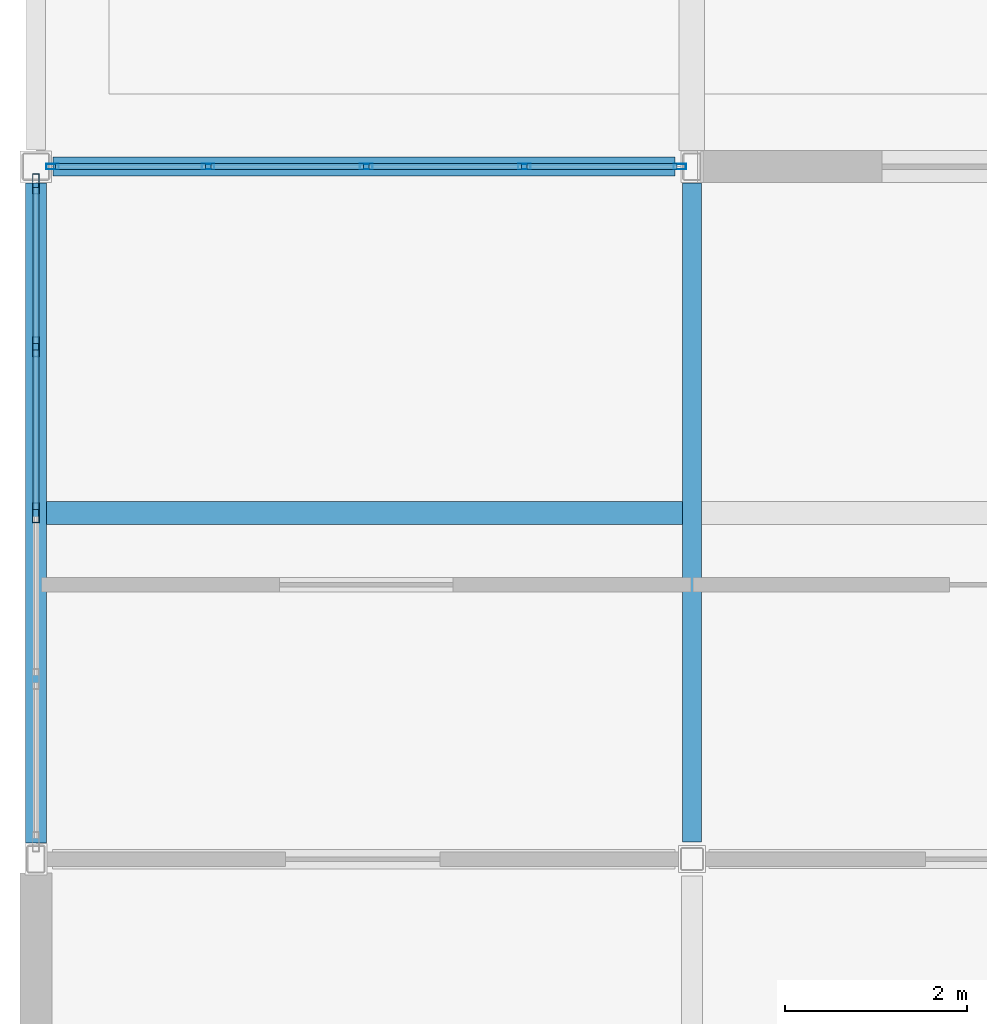
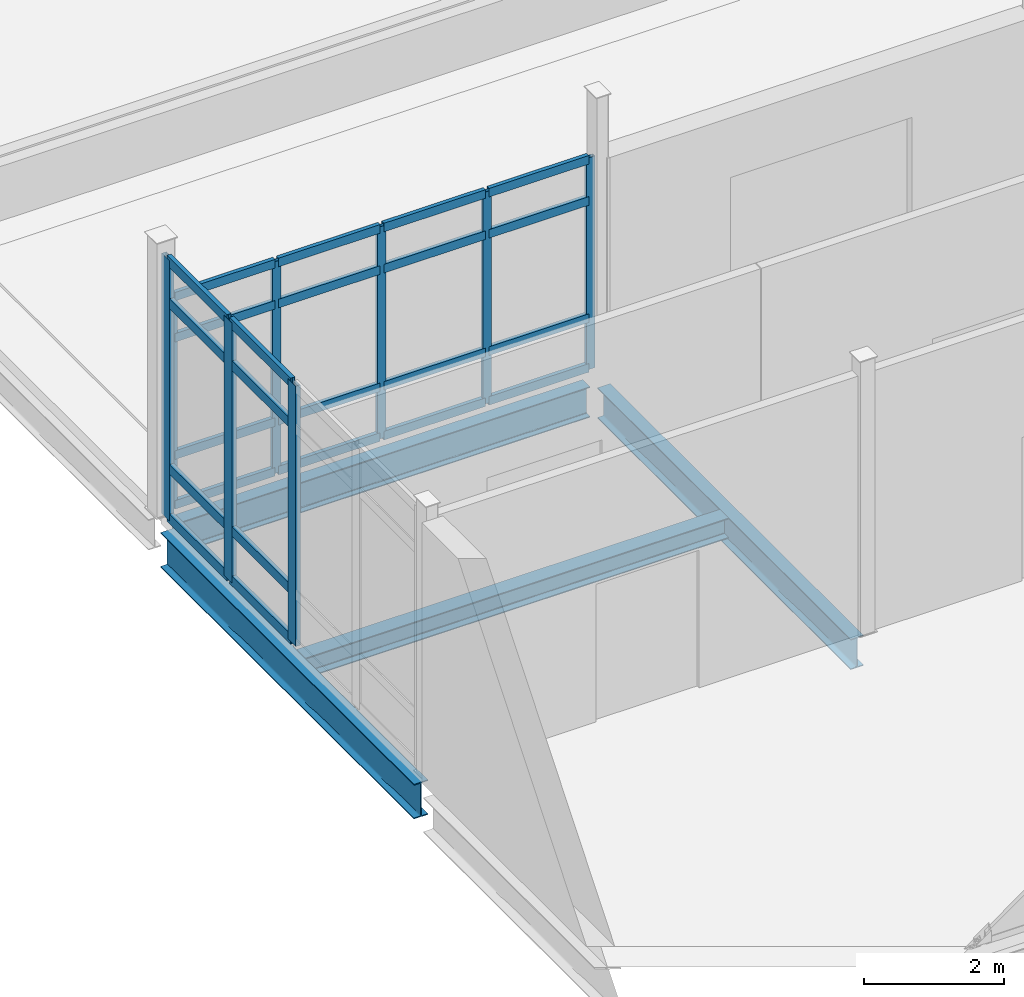
# One storey, part 34 of 186: 32 members, 4 beams, 2 elements without a shape of their own.
"""IFC4 building model written with IfcOpenShell, lengths in metres."""

import ifcopenshell
import ifcopenshell.guid

model = None  # the IFC model being written
_history = None  # IfcOwnerHistory: only IFC2X3 demands one
_inside = {}  # id of a spatial element -> (the spatial element, [elements in it])
_under = {}  # id of a project, library or spatial element -> (it, [spatial elements below it])
_declared = {}  # id of a project -> (the project, [libraries it declares])
_typed = {}  # id of a type object -> (the type object, [elements of that type])
_made_of = {}  # id of a material, layer set ... -> (it, [elements and type objects made of it])


def new_model(schema):
    """Start an empty IFC model of exactly this schema.

    Asked for "IFC4X3", IfcOpenShell would pick the latest addendum, in which some entities
    have other attributes; the version numbers below select the first issue.
    IFC2X3 requires an IfcOwnerHistory on every rooted entity: one is made here for all.
    """
    global model, _history
    if schema == "IFC4X3":
        model = ifcopenshell.file(schema_version=(4, 3, 0, 0))
    else:
        model = ifcopenshell.file(schema=schema)
    _inside.clear()
    _under.clear()
    _declared.clear()
    _typed.clear()
    _made_of.clear()
    _history = None
    if model.schema == "IFC2X3":
        org = make("IfcOrganization", Name="unknown")
        user = make(
            "IfcPersonAndOrganization",
            ThePerson=make("IfcPerson", FamilyName="unknown"),
            TheOrganization=org,
        )
        app = make(
            "IfcApplication",
            ApplicationDeveloper=org,
            Version="unknown",
            ApplicationFullName="unknown",
            ApplicationIdentifier="unknown",
        )
        _history = make(
            "IfcOwnerHistory",
            OwningUser=user,
            OwningApplication=app,
            ChangeAction="ADDED",
            CreationDate=0,
        )
    return model


def make(cls, **values):
    """One entity of the class cls with the attributes given. An attribute that is None is left unset."""
    return model.create_entity(
        cls, **{name: value for name, value in values.items() if value is not None}
    )


def rooted(cls, **values):
    """An entity with a GlobalId (a new one), such as an element, a storey or a relation."""
    return make(cls, GlobalId=ifcopenshell.guid.new(), OwnerHistory=_history, **values)


def si_unit(unit_type, name, prefix=None):
    """IfcSIUnit, for example si_unit("LENGTHUNIT", "METRE", prefix="MILLI")."""
    return make("IfcSIUnit", UnitType=unit_type, Prefix=prefix, Name=name)


def assignment(units):
    """IfcUnitAssignment: the units of a project."""
    return None if units is None else make("IfcUnitAssignment", Units=units)


def point(xyz):
    """IfcCartesianPoint."""
    return None if xyz is None else make("IfcCartesianPoint", Coordinates=xyz)


def direction(xyz):
    """IfcDirection."""
    return None if xyz is None else make("IfcDirection", DirectionRatios=xyz)


def frame(location, z_axis=None, x_axis=None):
    """IfcAxis2Placement3D, a coordinate frame: its origin and axes. An axis left out is left unset."""
    return make(
        "IfcAxis2Placement3D",
        Location=point(location),
        Axis=direction(z_axis),
        RefDirection=direction(x_axis),
    )


def frame_2d(location, x_axis=None):
    """IfcAxis2Placement2D, a coordinate frame in the plane: its origin and x axis."""
    return make(
        "IfcAxis2Placement2D", Location=point(location), RefDirection=direction(x_axis)
    )


def origin():
    """The frame at (0, 0, 0) with its axes left unset."""
    return frame((0.0, 0.0, 0.0))


def origin_2d():
    """The frame at (0, 0) in the plane with its x axis left unset."""
    return frame_2d((0.0, 0.0))


def place(relative_to, where):
    """IfcLocalPlacement: puts the frame where relative to a parent placement (None: the world)."""
    return make(
        "IfcLocalPlacement", PlacementRelTo=relative_to, RelativePlacement=where
    )


def context(
    kind, dimensions, precision=None, world=None, true_north=None, identifier=None
):
    """IfcGeometricRepresentationContext, for example the 3D "Model" context."""
    return make(
        "IfcGeometricRepresentationContext",
        ContextIdentifier=identifier,
        ContextType=kind,
        CoordinateSpaceDimension=dimensions,
        Precision=precision,
        WorldCoordinateSystem=world,
        TrueNorth=true_north,
    )


def subcontext(parent, identifier, kind, view, scale=None):
    """IfcGeometricRepresentationSubContext, for example "Body" below "Model"."""
    return make(
        "IfcGeometricRepresentationSubContext",
        ContextIdentifier=identifier,
        ContextType=kind,
        ParentContext=parent,
        TargetScale=scale,
        TargetView=view,
    )


def project(units=None, contexts=None):
    """IfcProject with its units and contexts."""
    return rooted(
        "IfcProject",
        Name="project",
        RepresentationContexts=contexts,
        UnitsInContext=assignment(units),
    )


def spatial(cls, under=None, at=None, **own):
    """A site, building, storey or space (cls), placed at a placement, below another one or the project."""
    s = rooted(cls, ObjectPlacement=at, **own)
    if under is not None:
        _under.setdefault(under.id(), (under, []))[1].append(s)
    return s


def profile(cls, at=None, kind="AREA", **sizes):
    """A parametric profile (cls). Its sizes go by their IFC names, for example OverallWidth=200.0."""
    return make(cls, ProfileType=kind, Position=at, **sizes)


def hollow_rectangle(**sizes):
    """IfcRectangleHollowProfileDef."""
    return profile("IfcRectangleHollowProfileDef", **sizes)


def i_section(**sizes):
    """IfcIShapeProfileDef."""
    return profile("IfcIShapeProfileDef", **sizes)


def extrude(swept, where, along, depth):
    """IfcExtrudedAreaSolid: the profile swept, set in the frame where, extruded along a direction by depth."""
    return make(
        "IfcExtrudedAreaSolid",
        SweptArea=swept,
        Position=where,
        ExtrudedDirection=direction(along),
        Depth=depth,
    )


def shape(context_of_items, identifier, shape_type, items):
    """IfcShapeRepresentation: the items that make up one representation, for example the "Body"."""
    return make(
        "IfcShapeRepresentation",
        ContextOfItems=context_of_items,
        RepresentationIdentifier=identifier,
        RepresentationType=shape_type,
        Items=items,
    )


def material(Name=None, Category=None):
    """IfcMaterial."""
    return make("IfcMaterial", Name=Name, Category=Category)


def layer(
    of_material, thickness, ventilated=None, Name=None, Category=None, Priority=None
):
    """IfcMaterialLayer: one layer of a wall or slab, of a material (None: an air gap)."""
    return make(
        "IfcMaterialLayer",
        Material=of_material,
        LayerThickness=thickness,
        IsVentilated=ventilated,
        Name=Name,
        Category=Category,
        Priority=Priority,
    )


def layer_set(layers, Name=None):
    """IfcMaterialLayerSet."""
    return make("IfcMaterialLayerSet", MaterialLayers=layers, LayerSetName=Name)


def material_profile(
    of_material, cross_section, Name=None, Category=None, Priority=None
):
    """IfcMaterialProfile: a cross section and its material."""
    return make(
        "IfcMaterialProfile",
        Name=Name,
        Material=of_material,
        Profile=cross_section,
        Priority=Priority,
        Category=Category,
    )


def profile_set(profiles, Name=None, composite=None):
    """IfcMaterialProfileSet."""
    return make(
        "IfcMaterialProfileSet",
        Name=Name,
        MaterialProfiles=profiles,
        CompositeProfile=composite,
    )


def made_of(thing, what):
    """Note that an element or type object is made of a material, layer set ...; save() writes the relation."""
    if what is not None:
        _made_of.setdefault(what.id(), (what, []))[1].append(thing)
    return thing


def type_object(cls, material=None, **own):
    """A type object (cls), such as IfcWallType, which elements share."""
    return made_of(rooted(cls, **own), material)


def element(
    cls,
    number,
    at=None,
    inside=None,
    cuts=None,
    type_object=None,
    material=None,
    context=None,
    identifier="Body",
    shape_type=None,
    held_by="IfcProductDefinitionShape",
    body=None,
    shapes=None,
    **own,
):
    """One element of the class cls, such as IfcWall. Its Tag is "e" and its number.

    at: its placement. inside: the storey or other place that contains it. cuts: it is an
    opening in that element (IfcRelVoidsElement). A single representation is given by context,
    identifier, shape_type and body (its items); several are given by shapes. held_by: the class
    of the entity that holds the representations. save() writes the other relations.
    """
    e = rooted(cls, Tag="e%d" % number, ObjectPlacement=at, **own)
    if body is not None:
        shapes = [shape(context, identifier, shape_type, body)]
    if shapes is not None:
        e.Representation = make(held_by, Representations=shapes)
    if inside is not None:
        _inside.setdefault(inside.id(), (inside, []))[1].append(e)
    if cuts is not None:
        rooted(
            "IfcRelVoidsElement", RelatingBuildingElement=cuts, RelatedOpeningElement=e
        )
    if type_object is not None:
        _typed.setdefault(type_object.id(), (type_object, []))[1].append(e)
    return made_of(e, material)


def aggregate(whole, parts):
    """IfcRelAggregates: a whole, such as a stair, and the parts it consists of."""
    return rooted("IfcRelAggregates", RelatingObject=whole, RelatedObjects=parts)


def save(model, path):
    """Write the relations noted so far, then the file.

    IfcRelAggregates (storeys below a building ...), IfcRelContainedInSpatialStructure (elements
    in a storey), IfcRelDefinesByType, IfcRelAssociatesMaterial and IfcRelDeclares: one each for
    every whole, place, type object, material and project.
    """
    for whole, parts in _under.values():
        aggregate(whole, parts)
    for where, things in _inside.values():
        rooted(
            "IfcRelContainedInSpatialStructure",
            RelatedElements=things,
            RelatingStructure=where,
        )
    for kind, things in _typed.values():
        rooted("IfcRelDefinesByType", RelatedObjects=things, RelatingType=kind)
    for what, things in _made_of.values():
        rooted("IfcRelAssociatesMaterial", RelatedObjects=things, RelatingMaterial=what)
    for by, libraries in _declared.values():
        rooted("IfcRelDeclares", RelatingContext=by, RelatedDefinitions=libraries)
    model.write(path)


model = new_model("IFC4")

# Units and contexts
model_context = context("Model", 3, precision=1e-05, world=origin(), true_north=direction((0.0, 1.0)))
body_context = subcontext(model_context, "Body", "Model", "MODEL_VIEW")
ifc_project = project(units=[si_unit("LENGTHUNIT", "METRE"), si_unit("AREAUNIT", "SQUARE_METRE"), si_unit("VOLUMEUNIT", "CUBIC_METRE"), si_unit("PLANEANGLEUNIT", "RADIAN"), si_unit("MASSUNIT", "GRAM", prefix="KILO")], contexts=[model_context])

# Site, building, storey
site_placement = place(None, origin())
site = spatial("IfcSite", under=ifc_project, at=site_placement, CompositionType="ELEMENT")
building_placement = place(site_placement, origin())
building = spatial("IfcBuilding", under=site, at=building_placement, Name="Calvrana Isthmian Art Gallery", CompositionType="ELEMENT")
storey_placement = place(building_placement, frame((0.0, 0.0, 5.39990234375)))
storey = spatial("IfcBuildingStorey", under=building, at=storey_placement, Name="L01", CompositionType="ELEMENT", Elevation=5.39990234375)

# Beams
ifc_material_1 = material(Name="Steel ASTM A992 Gr 50", Category="steel")
ifc_material_profile_1 = material_profile(ifc_material_1, i_section(OverallWidth=0.208984375, OverallDepth=0.532958984375, WebThickness=0.01025390625, FlangeThickness=0.015625, FilletRadius=0.02099609375, at=origin_2d()), Name="W21X62")
ifc_profile_set_1 = profile_set([ifc_material_profile_1], Name="Steel ASTM A992 Gr 50")
beam_type_1 = type_object("IfcBeamType", Name="BM-G-W21X62", PredefinedType="BEAM", material=ifc_profile_set_1)
beam_1_placement = place(storey_placement, frame((0.185546875, 62.0, -0.511474609375), z_axis=(1.0, 0.0, 0.0), x_axis=(0.0, 1.0, 0.0)))
element("IfcBeam", 1, at=beam_1_placement, inside=storey, type_object=beam_type_1, Name="Girder X L01 01-02/I", PredefinedType="BEAM", context=body_context, shape_type="SweptSolid", body=[
    extrude(i_section(OverallWidth=0.208984375, OverallDepth=0.532958984375, WebThickness=0.01025390625, FlangeThickness=0.015625, FilletRadius=0.02099609375, at=origin_2d()), origin(), (0.0, 0.0, 1.0), 6.83056640625),
])
beam_2_placement = place(storey_placement, frame((7.199951171875, 54.58642578125, -0.511474609375), z_axis=(0.0, 1.0, 0.0), x_axis=(-1.0, 0.0, 0.0)))
element("IfcBeam", 2, at=beam_2_placement, inside=storey, type_object=beam_type_1, Name="Girder Y L01 02/H-I", PredefinedType="BEAM", context=body_context, shape_type="SweptSolid", body=[
    extrude(i_section(OverallWidth=0.208984375, OverallDepth=0.532958984375, WebThickness=0.01025390625, FlangeThickness=0.015625, FilletRadius=0.02099609375, at=origin_2d()), origin(), (0.0, 0.0, 1.0), 7.235595703125),
])
ifc_material_profile_2 = material_profile(ifc_material_1, i_section(OverallWidth=0.22802734375, OverallDepth=0.60693359375, WebThickness=0.01123046875, FlangeThickness=0.017333984375, FilletRadius=0.02197265625, at=origin_2d()), Name="W24X76")
ifc_profile_set_2 = profile_set([ifc_material_profile_2], Name="Steel ASTM A992 Gr 50")
beam_type_2 = type_object("IfcBeamType", Name="BM-G-W24X76", PredefinedType="BEAM", material=ifc_profile_set_2)
beam_3_placement = place(storey_placement, frame((0.0, 54.577880859375, -0.54833984375), z_axis=(0.0, 1.0, 0.0), x_axis=(-1.0, 0.0, 0.0)))
element("IfcBeam", 3, at=beam_3_placement, inside=storey, type_object=beam_type_2, Name="Girder Y L01 01/H-I", PredefinedType="BEAM", context=body_context, shape_type="SweptSolid", body=[
    extrude(i_section(OverallWidth=0.22802734375, OverallDepth=0.60693359375, WebThickness=0.01123046875, FlangeThickness=0.017333984375, FilletRadius=0.02197265625, at=origin_2d()), origin(), (0.0, 0.0, 1.0), 7.24072265625),
])
ifc_material_profile_3 = material_profile(ifc_material_1, i_section(OverallWidth=0.25390625, OverallDepth=0.35302734375, WebThickness=0.009521484375, FlangeThickness=0.016357421875, FilletRadius=0.01806640625, at=origin_2d()), Name="W14X61")
ifc_profile_set_3 = profile_set([ifc_material_profile_3], Name="Steel ASTM A992 Gr 50")
beam_type_3 = type_object("IfcBeamType", Name="BM-J-W14X61", PredefinedType="JOIST", material=ifc_profile_set_3)
beam_4_placement = place(storey_placement, frame((0.114013671875, 58.199951171875, -0.42138671875), z_axis=(1.0, 0.0, 0.0), x_axis=(0.0, 1.0, 0.0)))
element("IfcBeam", 4, at=beam_4_placement, inside=storey, type_object=beam_type_3, Name="Composite joist L01 bay 00-07", PredefinedType="JOIST", context=body_context, shape_type="SweptSolid", body=[
    extrude(i_section(OverallWidth=0.25390625, OverallDepth=0.35302734375, WebThickness=0.009521484375, FlangeThickness=0.016357421875, FilletRadius=0.01806640625, at=origin_2d()), origin(), (0.0, 0.0, 1.0), 6.9814453125),
])

# Curtain wall, members
ifc_material_2 = material(Name="Anodized bronze aluminium 6063-T6", Category="aluminium")
ifc_layer_1 = layer(ifc_material_2, 0.179931640625, Name="Anodized bronze aluminium 6063-T6")
ifc_layer_set_1 = layer_set([ifc_layer_1], Name="Anodized bronze aluminium 6063-T6")
curtain_wall_type_1 = type_object("IfcCurtainWallType", Name="CW-UNIT-069X37", PredefinedType="USERDEFINED", material=ifc_layer_set_1)
curtain_wall_1_placement = place(storey_placement, origin())
curtain_wall_1 = element("IfcCurtainWall", 5, at=curtain_wall_1_placement, inside=storey, type_object=curtain_wall_type_1, Name="Curtain wall CW-102", ObjectType="UNITISED CURTAIN WALL", PredefinedType="USERDEFINED")
ifc_material_profile_4 = material_profile(ifc_material_2, hollow_rectangle(XDim=0.06005859375, YDim=0.139892578125, WallThickness=0.00390625, at=origin_2d()), Name="CWM60X140")
ifc_profile_set_4 = profile_set([ifc_material_profile_4], Name="Anodized bronze aluminium 6063-T6")
member_type_1 = type_object("IfcMemberType", Name="CWM-CWM60X140", PredefinedType="MULLION", material=ifc_profile_set_4)
member_1_placement = place(storey_placement, frame((0.182373046875, 62.0, 0.0), z_axis=(0.0, 0.0, 1.0), x_axis=(0.0, 1.0, 0.0)))
member_1 = element("IfcMember", 6, at=member_1_placement, type_object=member_type_1, Name="CW-102 mullion 1", PredefinedType="MULLION", context=body_context, shape_type="SweptSolid", body=[
    extrude(hollow_rectangle(XDim=0.06005859375, YDim=0.139892578125, WallThickness=0.00390625, at=origin_2d()), origin(), (0.0, 0.0, 1.0), 3.695068359375),
])
member_2_placement = place(storey_placement, frame((1.888916015625, 62.0, 0.0), z_axis=(0.0, 0.0, 1.0), x_axis=(0.0, 1.0, 0.0)))
member_2 = element("IfcMember", 7, at=member_2_placement, type_object=member_type_1, Name="CW-102 mullion 2", PredefinedType="MULLION", context=body_context, shape_type="SweptSolid", body=[
    extrude(hollow_rectangle(XDim=0.06005859375, YDim=0.139892578125, WallThickness=0.00390625, at=origin_2d()), origin(), (0.0, 0.0, 1.0), 3.695068359375),
])
member_3_placement = place(storey_placement, frame((3.62548828125, 62.0, 0.0), z_axis=(0.0, 0.0, 1.0), x_axis=(0.0, 1.0, 0.0)))
member_3 = element("IfcMember", 8, at=member_3_placement, type_object=member_type_1, Name="CW-102 mullion 3", PredefinedType="MULLION", context=body_context, shape_type="SweptSolid", body=[
    extrude(hollow_rectangle(XDim=0.06005859375, YDim=0.139892578125, WallThickness=0.00390625, at=origin_2d()), origin(), (0.0, 0.0, 1.0), 3.695068359375),
])
member_4_placement = place(storey_placement, frame((5.36181640625, 62.0, 0.0), z_axis=(0.0, 0.0, 1.0), x_axis=(0.0, 1.0, 0.0)))
member_4 = element("IfcMember", 9, at=member_4_placement, type_object=member_type_1, Name="CW-102 mullion 4", PredefinedType="MULLION", context=body_context, shape_type="SweptSolid", body=[
    extrude(hollow_rectangle(XDim=0.06005859375, YDim=0.139892578125, WallThickness=0.00390625, at=origin_2d()), origin(), (0.0, 0.0, 1.0), 3.695068359375),
])
member_5_placement = place(storey_placement, frame((7.068359375, 62.0, 0.0), z_axis=(0.0, 0.0, 1.0), x_axis=(0.0, 1.0, 0.0)))
member_5 = element("IfcMember", 10, at=member_5_placement, type_object=member_type_1, Name="CW-102 mullion 5", PredefinedType="MULLION", context=body_context, shape_type="SweptSolid", body=[
    extrude(hollow_rectangle(XDim=0.06005859375, YDim=0.139892578125, WallThickness=0.00390625, at=origin_2d()), origin(), (0.0, 0.0, 1.0), 3.695068359375),
])

ifc_layer_2 = layer(ifc_material_2, 0.179931640625, Name="Anodized bronze aluminium 6063-T6")
ifc_layer_set_2 = layer_set([ifc_layer_2], Name="Anodized bronze aluminium 6063-T6")
curtain_wall_type_2 = type_object("IfcCurtainWallType", Name="CW-UNIT-073X45", PredefinedType="USERDEFINED", material=ifc_layer_set_2)
curtain_wall_2_placement = place(storey_placement, origin())
curtain_wall_2 = element("IfcCurtainWall", 11, at=curtain_wall_2_placement, inside=storey, type_object=curtain_wall_type_2, Name="Curtain wall CW-118", ObjectType="UNITISED CURTAIN WALL", PredefinedType="USERDEFINED")
ifc_material_profile_5 = material_profile(ifc_material_2, hollow_rectangle(XDim=0.074951171875, YDim=0.219970703125, WallThickness=0.0048828125, at=origin_2d()), Name="CWM75X220")
ifc_profile_set_5 = profile_set([ifc_material_profile_5], Name="Anodized bronze aluminium 6063-T6")
member_type_2 = type_object("IfcMemberType", Name="CWM-CWM75X220", PredefinedType="MULLION", material=ifc_profile_set_5)
member_6_placement = place(storey_placement, frame((0.0, 58.199951171875, 0.0), z_axis=(0.0, 0.0, 1.0), x_axis=(-1.0, 0.0, 0.0)))
member_6 = element("IfcMember", 12, at=member_6_placement, type_object=member_type_2, Name="CW-118 mullion 3", PredefinedType="MULLION", context=body_context, shape_type="SweptSolid", body=[
    extrude(hollow_rectangle(XDim=0.074951171875, YDim=0.219970703125, WallThickness=0.0048828125, at=origin_2d()), origin(), (0.0, 0.0, 1.0), 4.5400390625),
])
member_7_placement = place(storey_placement, frame((0.0, 60.023681640625, 0.0), z_axis=(0.0, 0.0, 1.0), x_axis=(-1.0, 0.0, 0.0)))
member_7 = element("IfcMember", 13, at=member_7_placement, type_object=member_type_2, Name="CW-118 mullion 4", PredefinedType="MULLION", context=body_context, shape_type="SweptSolid", body=[
    extrude(hollow_rectangle(XDim=0.074951171875, YDim=0.219970703125, WallThickness=0.0048828125, at=origin_2d()), origin(), (0.0, 0.0, 1.0), 4.5400390625),
])
member_8_placement = place(storey_placement, frame((0.0, 61.81005859375, 0.0), z_axis=(0.0, 0.0, 1.0), x_axis=(-1.0, 0.0, 0.0)))
member_8 = element("IfcMember", 14, at=member_8_placement, type_object=member_type_2, Name="CW-118 mullion 5", PredefinedType="MULLION", context=body_context, shape_type="SweptSolid", body=[
    extrude(hollow_rectangle(XDim=0.074951171875, YDim=0.219970703125, WallThickness=0.0048828125, at=origin_2d()), origin(), (0.0, 0.0, 1.0), 4.5400390625),
])

# Member
ifc_material_profile_6 = material_profile(ifc_material_2, hollow_rectangle(XDim=0.06494140625, YDim=0.14990234375, WallThickness=0.00390625, at=origin_2d()), Name="CWT65X150")
ifc_profile_set_6 = profile_set([ifc_material_profile_6], Name="Anodized bronze aluminium 6063-T6")
member_type_3 = type_object("IfcMemberType", Name="CWT-CWT65X150", PredefinedType="USERDEFINED", material=ifc_profile_set_6)
member_9_placement = place(storey_placement, frame((0.21240234375, 62.0, 0.03271484375), z_axis=(1.0, 0.0, 0.0), x_axis=(0.0, 1.0, 0.0)))
member_9 = element("IfcMember", 15, at=member_9_placement, type_object=member_type_3, Name="CW-102 transom 1.1", ObjectType="TRANSOM", PredefinedType="USERDEFINED", context=body_context, shape_type="SweptSolid", body=[
    extrude(hollow_rectangle(XDim=0.06494140625, YDim=0.14990234375, WallThickness=0.00390625, at=origin_2d()), origin(), (0.0, 0.0, 1.0), 1.646484375),
])

member_10_placement = place(storey_placement, frame((0.21240234375, 62.0, 0.900146484375), z_axis=(1.0, 0.0, 0.0), x_axis=(0.0, 1.0, 0.0)))
member_10 = element("IfcMember", 16, at=member_10_placement, type_object=member_type_3, Name="CW-102 transom 1.2", ObjectType="TRANSOM", PredefinedType="USERDEFINED", context=body_context, shape_type="SweptSolid", body=[
    extrude(hollow_rectangle(XDim=0.06494140625, YDim=0.14990234375, WallThickness=0.00390625, at=origin_2d()), origin(), (0.0, 0.0, 1.0), 1.646484375),
])

member_11_placement = place(storey_placement, frame((0.21240234375, 62.0, 2.945068359375), z_axis=(1.0, 0.0, 0.0), x_axis=(0.0, 1.0, 0.0)))
member_11 = element("IfcMember", 17, at=member_11_placement, type_object=member_type_3, Name="CW-102 transom 1.3", ObjectType="TRANSOM", PredefinedType="USERDEFINED", context=body_context, shape_type="SweptSolid", body=[
    extrude(hollow_rectangle(XDim=0.06494140625, YDim=0.14990234375, WallThickness=0.00390625, at=origin_2d()), origin(), (0.0, 0.0, 1.0), 1.646484375),
])

member_12_placement = place(storey_placement, frame((0.21240234375, 62.0, 3.66259765625), z_axis=(1.0, 0.0, 0.0), x_axis=(0.0, 1.0, 0.0)))
member_12 = element("IfcMember", 18, at=member_12_placement, type_object=member_type_3, Name="CW-102 transom 1.4", ObjectType="TRANSOM", PredefinedType="USERDEFINED", context=body_context, shape_type="SweptSolid", body=[
    extrude(hollow_rectangle(XDim=0.06494140625, YDim=0.14990234375, WallThickness=0.00390625, at=origin_2d()), origin(), (0.0, 0.0, 1.0), 1.646484375),
])

member_13_placement = place(storey_placement, frame((1.9189453125, 62.0, 0.03271484375), z_axis=(1.0, 0.0, 0.0), x_axis=(0.0, 1.0, 0.0)))
member_13 = element("IfcMember", 19, at=member_13_placement, type_object=member_type_3, Name="CW-102 transom 2.1", ObjectType="TRANSOM", PredefinedType="USERDEFINED", context=body_context, shape_type="SweptSolid", body=[
    extrude(hollow_rectangle(XDim=0.06494140625, YDim=0.14990234375, WallThickness=0.00390625, at=origin_2d()), origin(), (0.0, 0.0, 1.0), 1.676513671875),
])

member_14_placement = place(storey_placement, frame((1.9189453125, 62.0, 0.900146484375), z_axis=(1.0, 0.0, 0.0), x_axis=(0.0, 1.0, 0.0)))
member_14 = element("IfcMember", 20, at=member_14_placement, type_object=member_type_3, Name="CW-102 transom 2.2", ObjectType="TRANSOM", PredefinedType="USERDEFINED", context=body_context, shape_type="SweptSolid", body=[
    extrude(hollow_rectangle(XDim=0.06494140625, YDim=0.14990234375, WallThickness=0.00390625, at=origin_2d()), origin(), (0.0, 0.0, 1.0), 1.676513671875),
])

member_15_placement = place(storey_placement, frame((1.9189453125, 62.0, 2.945068359375), z_axis=(1.0, 0.0, 0.0), x_axis=(0.0, 1.0, 0.0)))
member_15 = element("IfcMember", 21, at=member_15_placement, type_object=member_type_3, Name="CW-102 transom 2.3", ObjectType="TRANSOM", PredefinedType="USERDEFINED", context=body_context, shape_type="SweptSolid", body=[
    extrude(hollow_rectangle(XDim=0.06494140625, YDim=0.14990234375, WallThickness=0.00390625, at=origin_2d()), origin(), (0.0, 0.0, 1.0), 1.676513671875),
])

member_16_placement = place(storey_placement, frame((1.9189453125, 62.0, 3.66259765625), z_axis=(1.0, 0.0, 0.0), x_axis=(0.0, 1.0, 0.0)))
member_16 = element("IfcMember", 22, at=member_16_placement, type_object=member_type_3, Name="CW-102 transom 2.4", ObjectType="TRANSOM", PredefinedType="USERDEFINED", context=body_context, shape_type="SweptSolid", body=[
    extrude(hollow_rectangle(XDim=0.06494140625, YDim=0.14990234375, WallThickness=0.00390625, at=origin_2d()), origin(), (0.0, 0.0, 1.0), 1.676513671875),
])

member_17_placement = place(storey_placement, frame((3.655517578125, 62.0, 0.03271484375), z_axis=(1.0, 0.0, 0.0), x_axis=(0.0, 1.0, 0.0)))
member_17 = element("IfcMember", 23, at=member_17_placement, type_object=member_type_3, Name="CW-102 transom 3.1", ObjectType="TRANSOM", PredefinedType="USERDEFINED", context=body_context, shape_type="SweptSolid", body=[
    extrude(hollow_rectangle(XDim=0.06494140625, YDim=0.14990234375, WallThickness=0.00390625, at=origin_2d()), origin(), (0.0, 0.0, 1.0), 1.67626953125),
])

member_18_placement = place(storey_placement, frame((3.655517578125, 62.0, 0.900146484375), z_axis=(1.0, 0.0, 0.0), x_axis=(0.0, 1.0, 0.0)))
member_18 = element("IfcMember", 24, at=member_18_placement, type_object=member_type_3, Name="CW-102 transom 3.2", ObjectType="TRANSOM", PredefinedType="USERDEFINED", context=body_context, shape_type="SweptSolid", body=[
    extrude(hollow_rectangle(XDim=0.06494140625, YDim=0.14990234375, WallThickness=0.00390625, at=origin_2d()), origin(), (0.0, 0.0, 1.0), 1.67626953125),
])

member_19_placement = place(storey_placement, frame((3.655517578125, 62.0, 2.945068359375), z_axis=(1.0, 0.0, 0.0), x_axis=(0.0, 1.0, 0.0)))
member_19 = element("IfcMember", 25, at=member_19_placement, type_object=member_type_3, Name="CW-102 transom 3.3", ObjectType="TRANSOM", PredefinedType="USERDEFINED", context=body_context, shape_type="SweptSolid", body=[
    extrude(hollow_rectangle(XDim=0.06494140625, YDim=0.14990234375, WallThickness=0.00390625, at=origin_2d()), origin(), (0.0, 0.0, 1.0), 1.67626953125),
])

member_20_placement = place(storey_placement, frame((3.655517578125, 62.0, 3.66259765625), z_axis=(1.0, 0.0, 0.0), x_axis=(0.0, 1.0, 0.0)))
member_20 = element("IfcMember", 26, at=member_20_placement, type_object=member_type_3, Name="CW-102 transom 3.4", ObjectType="TRANSOM", PredefinedType="USERDEFINED", context=body_context, shape_type="SweptSolid", body=[
    extrude(hollow_rectangle(XDim=0.06494140625, YDim=0.14990234375, WallThickness=0.00390625, at=origin_2d()), origin(), (0.0, 0.0, 1.0), 1.67626953125),
])

member_21_placement = place(storey_placement, frame((5.391845703125, 62.0, 0.03271484375), z_axis=(1.0, 0.0, 0.0), x_axis=(0.0, 1.0, 0.0)))
member_21 = element("IfcMember", 27, at=member_21_placement, type_object=member_type_3, Name="CW-102 transom 4.1", ObjectType="TRANSOM", PredefinedType="USERDEFINED", context=body_context, shape_type="SweptSolid", body=[
    extrude(hollow_rectangle(XDim=0.06494140625, YDim=0.14990234375, WallThickness=0.00390625, at=origin_2d()), origin(), (0.0, 0.0, 1.0), 1.646484375),
])

member_22_placement = place(storey_placement, frame((5.391845703125, 62.0, 0.900146484375), z_axis=(1.0, 0.0, 0.0), x_axis=(0.0, 1.0, 0.0)))
member_22 = element("IfcMember", 28, at=member_22_placement, type_object=member_type_3, Name="CW-102 transom 4.2", ObjectType="TRANSOM", PredefinedType="USERDEFINED", context=body_context, shape_type="SweptSolid", body=[
    extrude(hollow_rectangle(XDim=0.06494140625, YDim=0.14990234375, WallThickness=0.00390625, at=origin_2d()), origin(), (0.0, 0.0, 1.0), 1.646484375),
])

member_23_placement = place(storey_placement, frame((5.391845703125, 62.0, 2.945068359375), z_axis=(1.0, 0.0, 0.0), x_axis=(0.0, 1.0, 0.0)))
member_23 = element("IfcMember", 29, at=member_23_placement, type_object=member_type_3, Name="CW-102 transom 4.3", ObjectType="TRANSOM", PredefinedType="USERDEFINED", context=body_context, shape_type="SweptSolid", body=[
    extrude(hollow_rectangle(XDim=0.06494140625, YDim=0.14990234375, WallThickness=0.00390625, at=origin_2d()), origin(), (0.0, 0.0, 1.0), 1.646484375),
])

member_24_placement = place(storey_placement, frame((5.391845703125, 62.0, 3.66259765625), z_axis=(1.0, 0.0, 0.0), x_axis=(0.0, 1.0, 0.0)))
member_24 = element("IfcMember", 30, at=member_24_placement, type_object=member_type_3, Name="CW-102 transom 4.4", ObjectType="TRANSOM", PredefinedType="USERDEFINED", context=body_context, shape_type="SweptSolid", body=[
    extrude(hollow_rectangle(XDim=0.06494140625, YDim=0.14990234375, WallThickness=0.00390625, at=origin_2d()), origin(), (0.0, 0.0, 1.0), 1.646484375),
])

aggregate(curtain_wall_1, [member_1, member_2, member_3, member_4, member_5, member_9, member_10, member_11, member_12, member_13, member_14, member_15, member_16, member_17, member_18, member_19, member_20, member_21, member_22, member_23, member_24])

ifc_material_profile_7 = material_profile(ifc_material_2, hollow_rectangle(XDim=0.070068359375, YDim=0.169921875, WallThickness=0.00439453125, at=origin_2d()), Name="CWT70X170")
ifc_profile_set_7 = profile_set([ifc_material_profile_7], Name="Anodized bronze aluminium 6063-T6")
member_type_4 = type_object("IfcMemberType", Name="CWT-CWT70X170", PredefinedType="USERDEFINED", material=ifc_profile_set_7)
member_25_placement = place(storey_placement, frame((0.0, 58.237548828125, 0.03515625), z_axis=(0.0, 1.0, 0.0), x_axis=(-1.0, 0.0, 0.0)))
member_25 = element("IfcMember", 31, at=member_25_placement, type_object=member_type_4, Name="CW-118 transom 3.1", ObjectType="TRANSOM", PredefinedType="USERDEFINED", context=body_context, shape_type="SweptSolid", body=[
    extrude(hollow_rectangle(XDim=0.070068359375, YDim=0.169921875, WallThickness=0.00439453125, at=origin_2d()), origin(), (0.0, 0.0, 1.0), 1.748779296875),
])

member_26_placement = place(storey_placement, frame((0.0, 58.237548828125, 0.900146484375), z_axis=(0.0, 1.0, 0.0), x_axis=(-1.0, 0.0, 0.0)))
member_26 = element("IfcMember", 32, at=member_26_placement, type_object=member_type_4, Name="CW-118 transom 3.2", ObjectType="TRANSOM", PredefinedType="USERDEFINED", context=body_context, shape_type="SweptSolid", body=[
    extrude(hollow_rectangle(XDim=0.070068359375, YDim=0.169921875, WallThickness=0.00439453125, at=origin_2d()), origin(), (0.0, 0.0, 1.0), 1.748779296875),
])

member_27_placement = place(storey_placement, frame((0.0, 58.237548828125, 3.7900390625), z_axis=(0.0, 1.0, 0.0), x_axis=(-1.0, 0.0, 0.0)))
member_27 = element("IfcMember", 33, at=member_27_placement, type_object=member_type_4, Name="CW-118 transom 3.3", ObjectType="TRANSOM", PredefinedType="USERDEFINED", context=body_context, shape_type="SweptSolid", body=[
    extrude(hollow_rectangle(XDim=0.070068359375, YDim=0.169921875, WallThickness=0.00439453125, at=origin_2d()), origin(), (0.0, 0.0, 1.0), 1.748779296875),
])

member_28_placement = place(storey_placement, frame((0.0, 58.237548828125, 4.505126953125), z_axis=(0.0, 1.0, 0.0), x_axis=(-1.0, 0.0, 0.0)))
member_28 = element("IfcMember", 34, at=member_28_placement, type_object=member_type_4, Name="CW-118 transom 3.4", ObjectType="TRANSOM", PredefinedType="USERDEFINED", context=body_context, shape_type="SweptSolid", body=[
    extrude(hollow_rectangle(XDim=0.070068359375, YDim=0.169921875, WallThickness=0.00439453125, at=origin_2d()), origin(), (0.0, 0.0, 1.0), 1.748779296875),
])

member_29_placement = place(storey_placement, frame((0.0, 60.061279296875, 0.03515625), z_axis=(0.0, 1.0, 0.0), x_axis=(-1.0, 0.0, 0.0)))
member_29 = element("IfcMember", 35, at=member_29_placement, type_object=member_type_4, Name="CW-118 transom 4.1", ObjectType="TRANSOM", PredefinedType="USERDEFINED", context=body_context, shape_type="SweptSolid", body=[
    extrude(hollow_rectangle(XDim=0.070068359375, YDim=0.169921875, WallThickness=0.00439453125, at=origin_2d()), origin(), (0.0, 0.0, 1.0), 1.71142578125),
])

member_30_placement = place(storey_placement, frame((0.0, 60.061279296875, 0.900146484375), z_axis=(0.0, 1.0, 0.0), x_axis=(-1.0, 0.0, 0.0)))
member_30 = element("IfcMember", 36, at=member_30_placement, type_object=member_type_4, Name="CW-118 transom 4.2", ObjectType="TRANSOM", PredefinedType="USERDEFINED", context=body_context, shape_type="SweptSolid", body=[
    extrude(hollow_rectangle(XDim=0.070068359375, YDim=0.169921875, WallThickness=0.00439453125, at=origin_2d()), origin(), (0.0, 0.0, 1.0), 1.71142578125),
])

member_31_placement = place(storey_placement, frame((0.0, 60.061279296875, 3.7900390625), z_axis=(0.0, 1.0, 0.0), x_axis=(-1.0, 0.0, 0.0)))
member_31 = element("IfcMember", 37, at=member_31_placement, type_object=member_type_4, Name="CW-118 transom 4.3", ObjectType="TRANSOM", PredefinedType="USERDEFINED", context=body_context, shape_type="SweptSolid", body=[
    extrude(hollow_rectangle(XDim=0.070068359375, YDim=0.169921875, WallThickness=0.00439453125, at=origin_2d()), origin(), (0.0, 0.0, 1.0), 1.71142578125),
])

member_32_placement = place(storey_placement, frame((0.0, 60.061279296875, 4.505126953125), z_axis=(0.0, 1.0, 0.0), x_axis=(-1.0, 0.0, 0.0)))
member_32 = element("IfcMember", 38, at=member_32_placement, type_object=member_type_4, Name="CW-118 transom 4.4", ObjectType="TRANSOM", PredefinedType="USERDEFINED", context=body_context, shape_type="SweptSolid", body=[
    extrude(hollow_rectangle(XDim=0.070068359375, YDim=0.169921875, WallThickness=0.00439453125, at=origin_2d()), origin(), (0.0, 0.0, 1.0), 1.71142578125),
])

aggregate(curtain_wall_2, [member_6, member_7, member_8, member_25, member_26, member_27, member_28, member_29, member_30, member_31, member_32])

save(model, "model.ifc")
